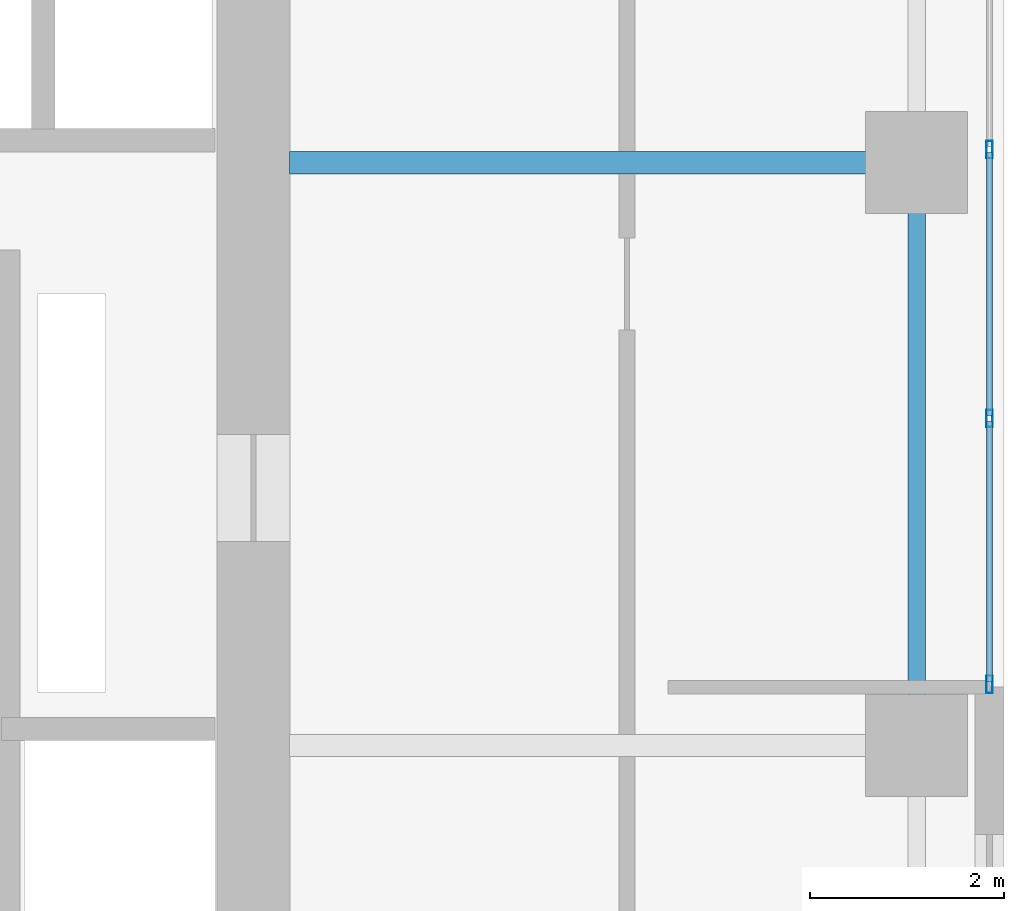
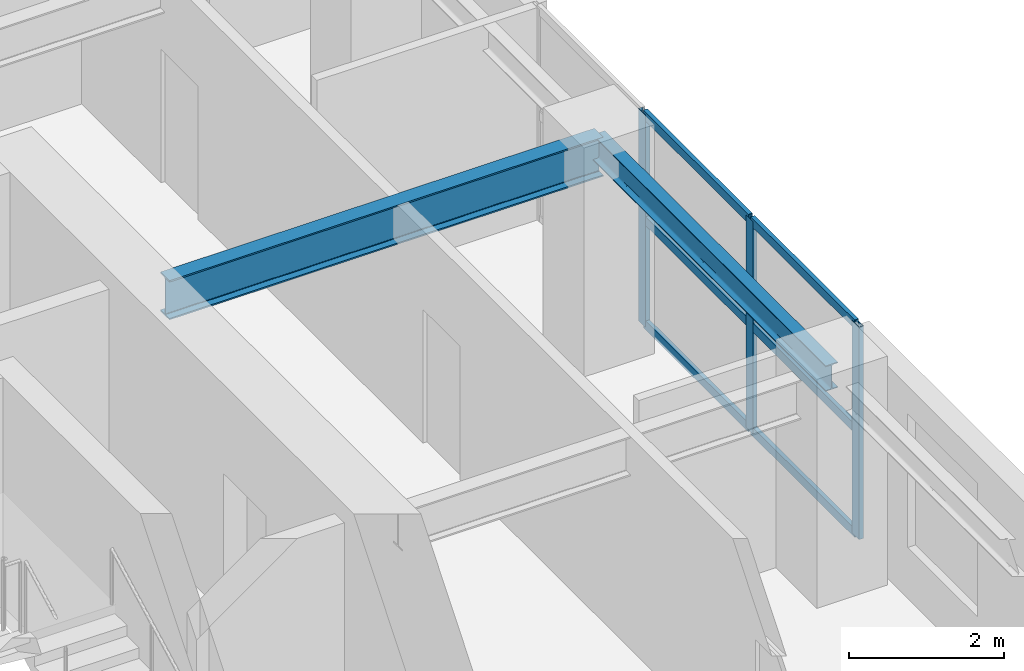
# One storey, part 9 of 18: 9 members, 2 beams, 1 element without a shape of its own.
"""IFC4 building model written with IfcOpenShell, lengths in metres."""

import ifcopenshell
import ifcopenshell.guid

model = None  # the IFC model being written
_history = None  # IfcOwnerHistory: only IFC2X3 demands one
_inside = {}  # id of a spatial element -> (the spatial element, [elements in it])
_under = {}  # id of a project, library or spatial element -> (it, [spatial elements below it])
_declared = {}  # id of a project -> (the project, [libraries it declares])
_typed = {}  # id of a type object -> (the type object, [elements of that type])
_made_of = {}  # id of a material, layer set ... -> (it, [elements and type objects made of it])


def new_model(schema):
    """Start an empty IFC model of exactly this schema.

    Asked for "IFC4X3", IfcOpenShell would pick the latest addendum, in which some entities
    have other attributes; the version numbers below select the first issue.
    IFC2X3 requires an IfcOwnerHistory on every rooted entity: one is made here for all.
    """
    global model, _history
    if schema == "IFC4X3":
        model = ifcopenshell.file(schema_version=(4, 3, 0, 0))
    else:
        model = ifcopenshell.file(schema=schema)
    _inside.clear()
    _under.clear()
    _declared.clear()
    _typed.clear()
    _made_of.clear()
    _history = None
    if model.schema == "IFC2X3":
        org = make("IfcOrganization", Name="unknown")
        user = make(
            "IfcPersonAndOrganization",
            ThePerson=make("IfcPerson", FamilyName="unknown"),
            TheOrganization=org,
        )
        app = make(
            "IfcApplication",
            ApplicationDeveloper=org,
            Version="unknown",
            ApplicationFullName="unknown",
            ApplicationIdentifier="unknown",
        )
        _history = make(
            "IfcOwnerHistory",
            OwningUser=user,
            OwningApplication=app,
            ChangeAction="ADDED",
            CreationDate=0,
        )
    return model


def make(cls, **values):
    """One entity of the class cls with the attributes given. An attribute that is None is left unset."""
    return model.create_entity(
        cls, **{name: value for name, value in values.items() if value is not None}
    )


def rooted(cls, **values):
    """An entity with a GlobalId (a new one), such as an element, a storey or a relation."""
    return make(cls, GlobalId=ifcopenshell.guid.new(), OwnerHistory=_history, **values)


def si_unit(unit_type, name, prefix=None):
    """IfcSIUnit, for example si_unit("LENGTHUNIT", "METRE", prefix="MILLI")."""
    return make("IfcSIUnit", UnitType=unit_type, Prefix=prefix, Name=name)


def assignment(units):
    """IfcUnitAssignment: the units of a project."""
    return None if units is None else make("IfcUnitAssignment", Units=units)


def point(xyz):
    """IfcCartesianPoint."""
    return None if xyz is None else make("IfcCartesianPoint", Coordinates=xyz)


def direction(xyz):
    """IfcDirection."""
    return None if xyz is None else make("IfcDirection", DirectionRatios=xyz)


def frame(location, z_axis=None, x_axis=None):
    """IfcAxis2Placement3D, a coordinate frame: its origin and axes. An axis left out is left unset."""
    return make(
        "IfcAxis2Placement3D",
        Location=point(location),
        Axis=direction(z_axis),
        RefDirection=direction(x_axis),
    )


def frame_2d(location, x_axis=None):
    """IfcAxis2Placement2D, a coordinate frame in the plane: its origin and x axis."""
    return make(
        "IfcAxis2Placement2D", Location=point(location), RefDirection=direction(x_axis)
    )


def origin():
    """The frame at (0, 0, 0) with its axes left unset."""
    return frame((0.0, 0.0, 0.0))


def origin_2d():
    """The frame at (0, 0) in the plane with its x axis left unset."""
    return frame_2d((0.0, 0.0))


def place(relative_to, where):
    """IfcLocalPlacement: puts the frame where relative to a parent placement (None: the world)."""
    return make(
        "IfcLocalPlacement", PlacementRelTo=relative_to, RelativePlacement=where
    )


def context(
    kind, dimensions, precision=None, world=None, true_north=None, identifier=None
):
    """IfcGeometricRepresentationContext, for example the 3D "Model" context."""
    return make(
        "IfcGeometricRepresentationContext",
        ContextIdentifier=identifier,
        ContextType=kind,
        CoordinateSpaceDimension=dimensions,
        Precision=precision,
        WorldCoordinateSystem=world,
        TrueNorth=true_north,
    )


def subcontext(parent, identifier, kind, view, scale=None):
    """IfcGeometricRepresentationSubContext, for example "Body" below "Model"."""
    return make(
        "IfcGeometricRepresentationSubContext",
        ContextIdentifier=identifier,
        ContextType=kind,
        ParentContext=parent,
        TargetScale=scale,
        TargetView=view,
    )


def project(units=None, contexts=None):
    """IfcProject with its units and contexts."""
    return rooted(
        "IfcProject",
        Name="project",
        RepresentationContexts=contexts,
        UnitsInContext=assignment(units),
    )


def spatial(cls, under=None, at=None, **own):
    """A site, building, storey or space (cls), placed at a placement, below another one or the project."""
    s = rooted(cls, ObjectPlacement=at, **own)
    if under is not None:
        _under.setdefault(under.id(), (under, []))[1].append(s)
    return s


def profile(cls, at=None, kind="AREA", **sizes):
    """A parametric profile (cls). Its sizes go by their IFC names, for example OverallWidth=200.0."""
    return make(cls, ProfileType=kind, Position=at, **sizes)


def hollow_rectangle(**sizes):
    """IfcRectangleHollowProfileDef."""
    return profile("IfcRectangleHollowProfileDef", **sizes)


def i_section(**sizes):
    """IfcIShapeProfileDef."""
    return profile("IfcIShapeProfileDef", **sizes)


def extrude(swept, where, along, depth):
    """IfcExtrudedAreaSolid: the profile swept, set in the frame where, extruded along a direction by depth."""
    return make(
        "IfcExtrudedAreaSolid",
        SweptArea=swept,
        Position=where,
        ExtrudedDirection=direction(along),
        Depth=depth,
    )


def shape(context_of_items, identifier, shape_type, items):
    """IfcShapeRepresentation: the items that make up one representation, for example the "Body"."""
    return make(
        "IfcShapeRepresentation",
        ContextOfItems=context_of_items,
        RepresentationIdentifier=identifier,
        RepresentationType=shape_type,
        Items=items,
    )


def source(mapping_origin, context_of_items, identifier, shape_type, items):
    """IfcRepresentationMap: a shape defined once, which mapped items show again and again."""
    return make(
        "IfcRepresentationMap",
        MappingOrigin=mapping_origin,
        MappedRepresentation=shape(context_of_items, identifier, shape_type, items),
    )


def transform(
    local_origin,
    x_axis=None,
    y_axis=None,
    z_axis=None,
    scale=None,
    scale2=None,
    scale3=None,
    uniform=True,
):
    """IfcCartesianTransformationOperator3D, or its non-uniform kind. x_axis, y_axis, z_axis: its Axis1, 2, 3."""
    if uniform:
        return make(
            "IfcCartesianTransformationOperator3D",
            Axis1=direction(x_axis),
            Axis2=direction(y_axis),
            LocalOrigin=point(local_origin),
            Scale=scale,
            Axis3=direction(z_axis),
        )
    return make(
        "IfcCartesianTransformationOperator3DnonUniform",
        Axis1=direction(x_axis),
        Axis2=direction(y_axis),
        LocalOrigin=point(local_origin),
        Scale=scale,
        Axis3=direction(z_axis),
        Scale2=scale2,
        Scale3=scale3,
    )


def mapped(mapping_source, mapping_target):
    """IfcMappedItem: shows the shape of a source again, moved by a transform."""
    return make(
        "IfcMappedItem", MappingSource=mapping_source, MappingTarget=mapping_target
    )


def material(Name=None, Category=None):
    """IfcMaterial."""
    return make("IfcMaterial", Name=Name, Category=Category)


def layer(
    of_material, thickness, ventilated=None, Name=None, Category=None, Priority=None
):
    """IfcMaterialLayer: one layer of a wall or slab, of a material (None: an air gap)."""
    return make(
        "IfcMaterialLayer",
        Material=of_material,
        LayerThickness=thickness,
        IsVentilated=ventilated,
        Name=Name,
        Category=Category,
        Priority=Priority,
    )


def layer_set(layers, Name=None):
    """IfcMaterialLayerSet."""
    return make("IfcMaterialLayerSet", MaterialLayers=layers, LayerSetName=Name)


def material_profile(
    of_material, cross_section, Name=None, Category=None, Priority=None
):
    """IfcMaterialProfile: a cross section and its material."""
    return make(
        "IfcMaterialProfile",
        Name=Name,
        Material=of_material,
        Profile=cross_section,
        Priority=Priority,
        Category=Category,
    )


def profile_set(profiles, Name=None, composite=None):
    """IfcMaterialProfileSet."""
    return make(
        "IfcMaterialProfileSet",
        Name=Name,
        MaterialProfiles=profiles,
        CompositeProfile=composite,
    )


def made_of(thing, what):
    """Note that an element or type object is made of a material, layer set ...; save() writes the relation."""
    if what is not None:
        _made_of.setdefault(what.id(), (what, []))[1].append(thing)
    return thing


def type_object(cls, material=None, **own):
    """A type object (cls), such as IfcWallType, which elements share."""
    return made_of(rooted(cls, **own), material)


def element(
    cls,
    number,
    at=None,
    inside=None,
    cuts=None,
    type_object=None,
    material=None,
    context=None,
    identifier="Body",
    shape_type=None,
    held_by="IfcProductDefinitionShape",
    body=None,
    shapes=None,
    **own,
):
    """One element of the class cls, such as IfcWall. Its Tag is "e" and its number.

    at: its placement. inside: the storey or other place that contains it. cuts: it is an
    opening in that element (IfcRelVoidsElement). A single representation is given by context,
    identifier, shape_type and body (its items); several are given by shapes. held_by: the class
    of the entity that holds the representations. save() writes the other relations.
    """
    e = rooted(cls, Tag="e%d" % number, ObjectPlacement=at, **own)
    if body is not None:
        shapes = [shape(context, identifier, shape_type, body)]
    if shapes is not None:
        e.Representation = make(held_by, Representations=shapes)
    if inside is not None:
        _inside.setdefault(inside.id(), (inside, []))[1].append(e)
    if cuts is not None:
        rooted(
            "IfcRelVoidsElement", RelatingBuildingElement=cuts, RelatedOpeningElement=e
        )
    if type_object is not None:
        _typed.setdefault(type_object.id(), (type_object, []))[1].append(e)
    return made_of(e, material)


def aggregate(whole, parts):
    """IfcRelAggregates: a whole, such as a stair, and the parts it consists of."""
    return rooted("IfcRelAggregates", RelatingObject=whole, RelatedObjects=parts)


def save(model, path):
    """Write the relations noted so far, then the file.

    IfcRelAggregates (storeys below a building ...), IfcRelContainedInSpatialStructure (elements
    in a storey), IfcRelDefinesByType, IfcRelAssociatesMaterial and IfcRelDeclares: one each for
    every whole, place, type object, material and project.
    """
    for whole, parts in _under.values():
        aggregate(whole, parts)
    for where, things in _inside.values():
        rooted(
            "IfcRelContainedInSpatialStructure",
            RelatedElements=things,
            RelatingStructure=where,
        )
    for kind, things in _typed.values():
        rooted("IfcRelDefinesByType", RelatedObjects=things, RelatingType=kind)
    for what, things in _made_of.values():
        rooted("IfcRelAssociatesMaterial", RelatedObjects=things, RelatingMaterial=what)
    for by, libraries in _declared.values():
        rooted("IfcRelDeclares", RelatingContext=by, RelatedDefinitions=libraries)
    model.write(path)


model = new_model("IFC4")

# Units and contexts
model_context = context("Model", 3, precision=1e-05, world=origin(), true_north=direction((0.0, 1.0)))
body_context = subcontext(model_context, "Body", "Model", "MODEL_VIEW")
ifc_project = project(units=[si_unit("LENGTHUNIT", "METRE"), si_unit("AREAUNIT", "SQUARE_METRE"), si_unit("VOLUMEUNIT", "CUBIC_METRE"), si_unit("PLANEANGLEUNIT", "RADIAN"), si_unit("MASSUNIT", "GRAM", prefix="KILO")], contexts=[model_context])

# Site, building, storey
site_placement = place(None, origin())
site = spatial("IfcSite", under=ifc_project, at=site_placement, CompositionType="ELEMENT")
building_placement = place(site_placement, origin())
building = spatial("IfcBuilding", under=site, at=building_placement, Name="Khoralis Quay Care Tower", CompositionType="ELEMENT")
storey_placement = place(building_placement, frame((0.0, 0.0, 130.5)))
storey = spatial("IfcBuildingStorey", under=building, at=storey_placement, Name="L34", CompositionType="ELEMENT", Elevation=130.5)

# Beams
ifc_material_1 = material(Name="Steel S355", Category="steel")
ifc_material_profile_1 = material_profile(ifc_material_1, i_section(OverallWidth=0.179931640625, OverallDepth=0.39990234375, WebThickness=0.008544921875, FlangeThickness=0.013427734375, FilletRadius=0.02099609375, at=origin_2d()), Name="Steel S355")
ifc_profile_set_1 = profile_set([ifc_material_profile_1], Name="Steel S355")
beam_type_1 = type_object("IfcBeamType", Name="BM-IPE400", PredefinedType="SPANDREL", material=ifc_profile_set_1)
shared_shape_1 = source(origin(), body_context, "Body", "SweptSolid", [
    extrude(i_section(OverallWidth=0.179931640625, OverallDepth=0.39990234375, WebThickness=0.008544921875, FlangeThickness=0.013427734375, FilletRadius=0.02099609375, at=origin_2d()), origin(), (0.0, 0.0, 1.0), 6.0),
])
beam_1_placement = place(storey_placement, frame((44.10009765625, 18.0, 3.139892578125), z_axis=(0.0, 1.0, 0.0), x_axis=(-1.0, 0.0, 0.0)))
element("IfcBeam", 1, at=beam_1_placement, inside=storey, type_object=beam_type_1, Name="BM-TSP-L34-18", PredefinedType="SPANDREL", context=body_context, shape_type="MappedRepresentation", body=[
    mapped(shared_shape_1, transform((0.0, 0.0, 0.0), scale=1.0)),
])
ifc_material_profile_2 = material_profile(ifc_material_1, i_section(OverallWidth=0.22998046875, OverallDepth=0.616943359375, WebThickness=0.01318359375, FlangeThickness=0.022216796875, FilletRadius=0.01806640625, at=origin_2d()), Name="Steel S355")
ifc_profile_set_2 = profile_set([ifc_material_profile_2], Name="Steel S355")
beam_type_2 = type_object("IfcBeamType", Name="BM-W610X140", PredefinedType="BEAM", material=ifc_profile_set_2)
shared_shape_2 = source(origin(), body_context, "Body", "SweptSolid", [
    extrude(i_section(OverallWidth=0.22998046875, OverallDepth=0.616943359375, WebThickness=0.01318359375, FlangeThickness=0.022216796875, FilletRadius=0.01806640625, at=origin_2d()), origin(), (0.0, 0.0, 1.0), 6.4521484375),
])
beam_2_placement = place(storey_placement, frame((37.64794921875, 24.0, 3.031494140625), z_axis=(1.0, 0.0, 0.0), x_axis=(0.0, 1.0, 0.0)))
element("IfcBeam", 2, at=beam_2_placement, inside=storey, type_object=beam_type_2, Name="BM-TGXE-L34-240", PredefinedType="BEAM", context=body_context, shape_type="MappedRepresentation", body=[
    mapped(shared_shape_2, transform((0.0, 0.0, 0.0), scale=1.0)),
])

# Curtain wall, members
ifc_material_2 = material(Name="Pale anodised aluminium", Category="aluminium")
ifc_layer = layer(ifc_material_2, 0.169921875)
ifc_layer_set = layer_set([ifc_layer], Name="Pale anodised aluminium")
curtain_wall_type = type_object("IfcCurtainWallType", Name="CW-SYS-Z2", PredefinedType="NOTDEFINED", material=ifc_layer_set)
curtain_wall_placement = place(storey_placement, origin())
curtain_wall = element("IfcCurtainWall", 3, at=curtain_wall_placement, inside=storey, type_object=curtain_wall_type, Name="L34 Unitised Curtain Wall CW-L34-P1-E5", PredefinedType="NOTDEFINED")
ifc_material_profile_3 = material_profile(ifc_material_2, hollow_rectangle(XDim=0.06494140625, YDim=0.179931640625, WallThickness=0.00390625, at=origin_2d()), Name="Pale anodised aluminium")
ifc_profile_set_3 = profile_set([ifc_material_profile_3], Name="Pale anodised aluminium")
member_type_1 = type_object("IfcMemberType", Name="CW-MUL-180", PredefinedType="MULLION", material=ifc_profile_set_3)
shared_shape_3 = source(origin(), body_context, "Body", "SweptSolid", [
    extrude(hollow_rectangle(XDim=0.06494140625, YDim=0.179931640625, WallThickness=0.00390625, at=origin_2d()), origin(), (0.0, 0.0, 1.0), 3.340087890625),
])
member_1_placement = place(storey_placement, frame((44.85009765625, 18.6298828125, 0.0), z_axis=(0.0, 0.0, 1.0), x_axis=(-1.0, 0.0, 0.0)))
member_1 = element("IfcMember", 4, at=member_1_placement, type_object=member_type_1, Name="CW2 mullion 1", PredefinedType="MULLION", context=body_context, shape_type="MappedRepresentation", body=[
    mapped(shared_shape_3, transform((0.0, 0.0, 0.0), scale=1.0)),
])
member_2_placement = place(storey_placement, frame((44.85009765625, 21.36669921875, 0.0), z_axis=(0.0, 0.0, 1.0), x_axis=(-1.0, 0.0, 0.0)))
member_2 = element("IfcMember", 5, at=member_2_placement, type_object=member_type_1, Name="CW2 mullion 2", PredefinedType="MULLION", context=body_context, shape_type="MappedRepresentation", body=[
    mapped(shared_shape_3, transform((0.0, 0.0, 0.0), scale=1.0)),
])
member_3_placement = place(storey_placement, frame((44.85009765625, 24.13330078125, 0.0), z_axis=(0.0, 0.0, 1.0), x_axis=(-1.0, 0.0, 0.0)))
member_3 = element("IfcMember", 6, at=member_3_placement, type_object=member_type_1, Name="CW2 mullion 3", PredefinedType="MULLION", context=body_context, shape_type="MappedRepresentation", body=[
    mapped(shared_shape_3, transform((0.0, 0.0, 0.0), scale=1.0)),
])
ifc_material_profile_4 = material_profile(ifc_material_2, hollow_rectangle(XDim=0.06005859375, YDim=0.139892578125, WallThickness=0.00390625, at=origin_2d()), Name="Pale anodised aluminium")
ifc_profile_set_4 = profile_set([ifc_material_profile_4], Name="Pale anodised aluminium")
member_type_2 = type_object("IfcMemberType", Name="CW-TRN-140", PredefinedType="USERDEFINED", material=ifc_profile_set_4)
shared_shape_4 = source(origin(), body_context, "Body", "SweptSolid", [
    extrude(hollow_rectangle(XDim=0.06005859375, YDim=0.139892578125, WallThickness=0.00390625, at=origin_2d()), origin(), (0.0, 0.0, 1.0), 2.6767578125),
])
member_4_placement = place(storey_placement, frame((44.85009765625, 18.659912109375, 0.030029296875), z_axis=(0.0, 1.0, 0.0), x_axis=(-1.0, 0.0, 0.0)))
member_4 = element("IfcMember", 7, at=member_4_placement, type_object=member_type_2, Name="CW2 transom 1.1", ObjectType="TRANSOM", PredefinedType="USERDEFINED", context=body_context, shape_type="MappedRepresentation", body=[
    mapped(shared_shape_4, transform((0.0, 0.0, 0.0), scale=1.0)),
])
member_5_placement = place(storey_placement, frame((44.85009765625, 18.659912109375, 1.669921875), z_axis=(0.0, 1.0, 0.0), x_axis=(-1.0, 0.0, 0.0)))
member_5 = element("IfcMember", 8, at=member_5_placement, type_object=member_type_2, Name="CW2 transom 1.2", ObjectType="TRANSOM", PredefinedType="USERDEFINED", context=body_context, shape_type="MappedRepresentation", body=[
    mapped(shared_shape_4, transform((0.0, 0.0, 0.0), scale=1.0)),
])
member_6_placement = place(storey_placement, frame((44.85009765625, 18.659912109375, 3.31005859375), z_axis=(0.0, 1.0, 0.0), x_axis=(-1.0, 0.0, 0.0)))
member_6 = element("IfcMember", 9, at=member_6_placement, type_object=member_type_2, Name="CW2 transom 1.3", ObjectType="TRANSOM", PredefinedType="USERDEFINED", context=body_context, shape_type="MappedRepresentation", body=[
    mapped(shared_shape_4, transform((0.0, 0.0, 0.0), scale=1.0)),
])
shared_shape_5 = source(origin(), body_context, "Body", "SweptSolid", [
    extrude(hollow_rectangle(XDim=0.06005859375, YDim=0.139892578125, WallThickness=0.00390625, at=origin_2d()), origin(), (0.0, 0.0, 1.0), 2.70654296875),
])
member_7_placement = place(storey_placement, frame((44.85009765625, 21.396728515625, 0.030029296875), z_axis=(0.0, 1.0, 0.0), x_axis=(-1.0, 0.0, 0.0)))
member_7 = element("IfcMember", 10, at=member_7_placement, type_object=member_type_2, Name="CW2 transom 2.1", ObjectType="TRANSOM", PredefinedType="USERDEFINED", context=body_context, shape_type="MappedRepresentation", body=[
    mapped(shared_shape_5, transform((0.0, 0.0, 0.0), scale=1.0)),
])
member_8_placement = place(storey_placement, frame((44.85009765625, 21.396728515625, 1.669921875), z_axis=(0.0, 1.0, 0.0), x_axis=(-1.0, 0.0, 0.0)))
member_8 = element("IfcMember", 11, at=member_8_placement, type_object=member_type_2, Name="CW2 transom 2.2", ObjectType="TRANSOM", PredefinedType="USERDEFINED", context=body_context, shape_type="MappedRepresentation", body=[
    mapped(shared_shape_5, transform((0.0, 0.0, 0.0), scale=1.0)),
])
member_9_placement = place(storey_placement, frame((44.85009765625, 21.396728515625, 3.31005859375), z_axis=(0.0, 1.0, 0.0), x_axis=(-1.0, 0.0, 0.0)))
member_9 = element("IfcMember", 12, at=member_9_placement, type_object=member_type_2, Name="CW2 transom 2.3", ObjectType="TRANSOM", PredefinedType="USERDEFINED", context=body_context, shape_type="MappedRepresentation", body=[
    mapped(shared_shape_5, transform((0.0, 0.0, 0.0), scale=1.0)),
])
aggregate(curtain_wall, [member_1, member_2, member_3, member_4, member_5, member_6, member_7, member_8, member_9])

save(model, "model.ifc")
